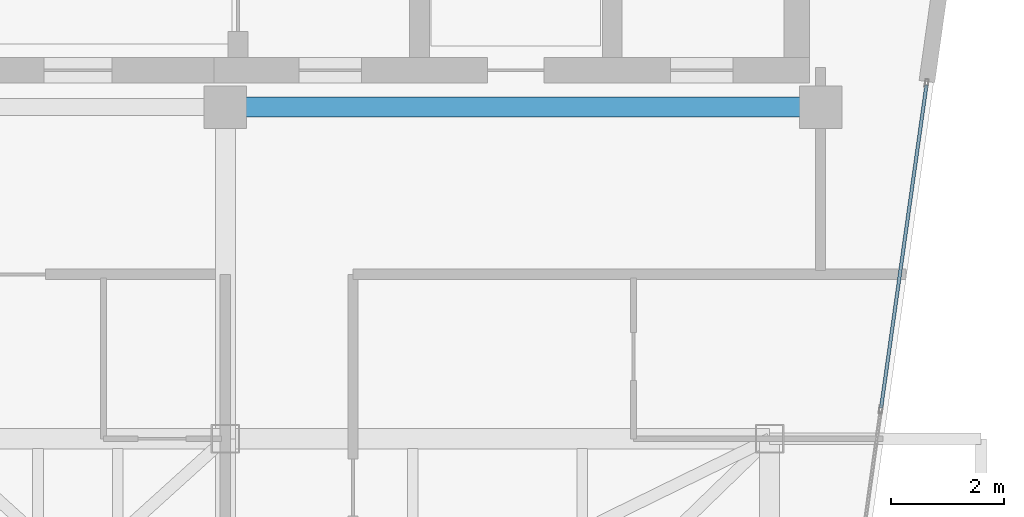
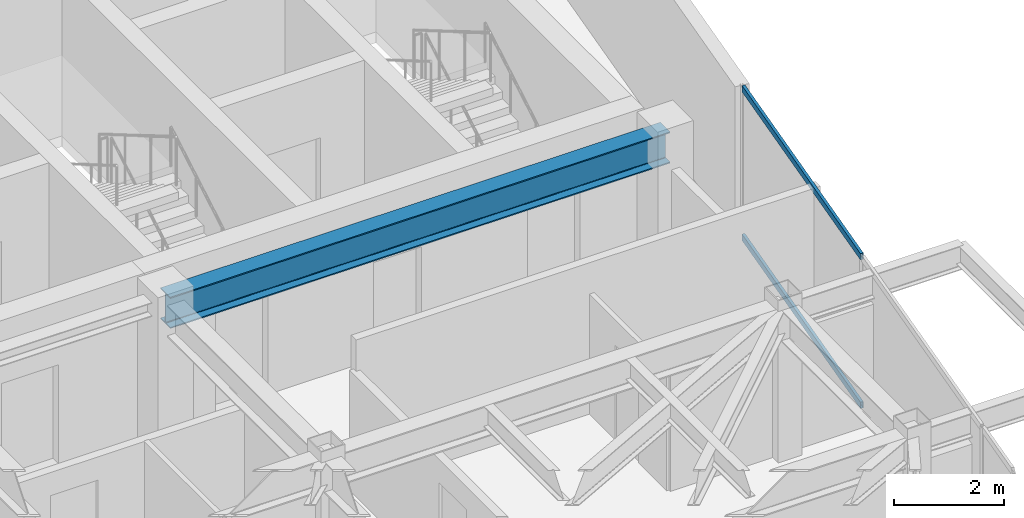
# One storey, part 11 of 17: 2 members, 1 beam, 1 element without a shape of its own.
"""IFC4 building model written with IfcOpenShell, lengths in metres."""

from ifc_helpers import new_model, si_unit, direction, frame, origin, origin_2d, place, context, subcontext, project, spatial, hollow_rectangle, i_section, extrude, material, layer, layer_set, material_profile, profile_set, type_object, element, aggregate, save


model = new_model("IFC4")

# Units and contexts
model_context = context("Model", 3, precision=1e-05, world=origin(), true_north=direction((0.0, 1.0)))
body_context = subcontext(model_context, "Body", "Model", "MODEL_VIEW")
ifc_project = project(units=[si_unit("LENGTHUNIT", "METRE"), si_unit("AREAUNIT", "SQUARE_METRE"), si_unit("VOLUMEUNIT", "CUBIC_METRE"), si_unit("PLANEANGLEUNIT", "RADIAN"), si_unit("MASSUNIT", "GRAM", prefix="KILO")], contexts=[model_context])

# Site, building, storey
site_placement = place(None, origin())
site = spatial("IfcSite", under=ifc_project, at=site_placement, CompositionType="ELEMENT")
building_placement = place(site_placement, origin())
building = spatial("IfcBuilding", under=site, at=building_placement, Name="Kravanh Interchange Tower", CompositionType="ELEMENT")
storey_placement = place(building_placement, frame((0.0, 0.0, 263.39990234375)))
storey = spatial("IfcBuildingStorey", under=building, at=storey_placement, Name="L64", CompositionType="ELEMENT", Elevation=263.39990234375)

# Curtain wall, members
ifc_material_1 = material(Name="Anodised Bronze Aluminium", Category="aluminium")
ifc_layer = layer(ifc_material_1, 0.179931640625)
ifc_layer_set = layer_set([ifc_layer], Name="Unitised Curtain Wall System CW-HTL Luxury Hotel")
curtain_wall_type = type_object("IfcCurtainWallType", Name="Unitised Curtain Wall System CW-HTL Luxury Hotel", PredefinedType="NOTDEFINED", material=ifc_layer_set)
curtain_wall_placement = place(storey_placement, origin())
curtain_wall = element("IfcCurtainWall", 1, at=curtain_wall_placement, inside=storey, type_object=curtain_wall_type, Name="L64 Unitised Curtain Wall CW-L64-01", PredefinedType="NOTDEFINED")
ifc_material_2 = material(Name="Anodised Bronze Aluminium", Category="aluminium")
ifc_material_profile_1 = material_profile(ifc_material_2, hollow_rectangle(XDim=0.06005859375, YDim=0.139892578125, WallThickness=0.00390625, at=origin_2d()), Name="ALU60X140X4")
ifc_profile_set_1 = profile_set([ifc_material_profile_1], Name="Anodised Bronze Aluminium")
member_type = type_object("IfcMemberType", Name="Curtain Wall Transom ALU60X140X4 Bronze", PredefinedType="USERDEFINED", material=ifc_profile_set_1)
member_1_placement = place(storey_placement, frame((68.36669921875, 37.740478515625, 0.030029296875), z_axis=(-0.139151445308, -0.990271112004, 0.0), x_axis=(0.990271112004, -0.139151445308, 0.0)))
member_1 = element("IfcMember", 2, at=member_1_placement, type_object=member_type, Name="CW-HTL transom 1.1", ObjectType="TRANSOM", PredefinedType="USERDEFINED", context=body_context, shape_type="SweptSolid", body=[
    extrude(hollow_rectangle(XDim=0.06005859375, YDim=0.139892578125, WallThickness=0.00390625, at=origin_2d()), origin(), (0.0, 0.0, 1.0), 5.7529296875),
])
member_2_placement = place(storey_placement, frame((68.36669921875, 37.740478515625, 3.330078125), z_axis=(-0.139151445308, -0.990271112004, 0.0), x_axis=(0.990271112004, -0.139151445308, 0.0)))
member_2 = element("IfcMember", 3, at=member_2_placement, type_object=member_type, Name="CW-HTL transom 1.2", ObjectType="TRANSOM", PredefinedType="USERDEFINED", context=body_context, shape_type="SweptSolid", body=[
    extrude(hollow_rectangle(XDim=0.06005859375, YDim=0.139892578125, WallThickness=0.00390625, at=origin_2d()), origin(), (0.0, 0.0, 1.0), 5.7529296875),
])
aggregate(curtain_wall, [member_1, member_2])

# Beam
ifc_material_3 = material(Name="Structural Steel S355", Category="steel")
ifc_material_profile_2 = material_profile(ifc_material_3, i_section(OverallWidth=0.35498046875, OverallDepth=0.696044921875, WebThickness=0.015380859375, FlangeThickness=0.02490234375, FilletRadius=0.02392578125, at=origin_2d()), Name="W27X146")
ifc_profile_set_2 = profile_set([ifc_material_profile_2], Name="Structural Steel S355")
beam_type = type_object("IfcBeamType", Name="Floor Beam W27X146 Structural Steel S355", PredefinedType="BEAM", material=ifc_profile_set_2)
beam_placement = place(storey_placement, frame((66.5, 37.35009765625, 3.01220703125), z_axis=(-1.0, 0.0, 0.0), x_axis=(0.0, -1.0, 0.0)))
element("IfcBeam", 4, at=beam_placement, inside=storey, type_object=beam_type, Name="L64 Primary Floor Girder 38", PredefinedType="BEAM", context=body_context, shape_type="SweptSolid", body=[
    extrude(i_section(OverallWidth=0.35498046875, OverallDepth=0.696044921875, WebThickness=0.015380859375, FlangeThickness=0.02490234375, FilletRadius=0.02392578125, at=origin_2d()), origin(), (0.0, 0.0, 1.0), 10.5),
])

save(model, "model.ifc")
